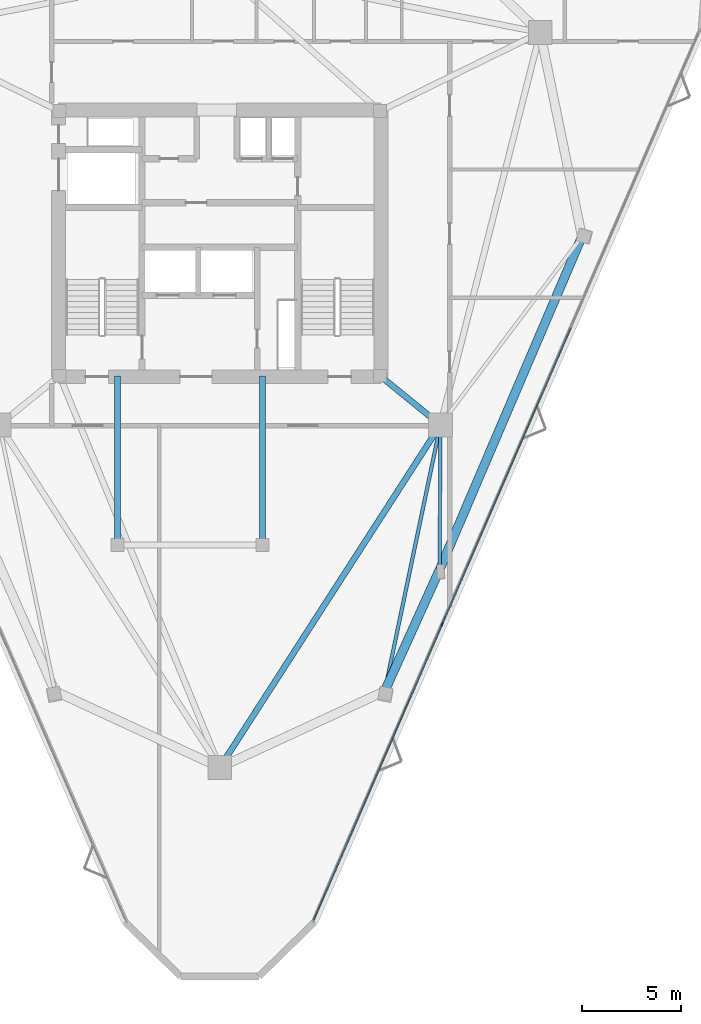
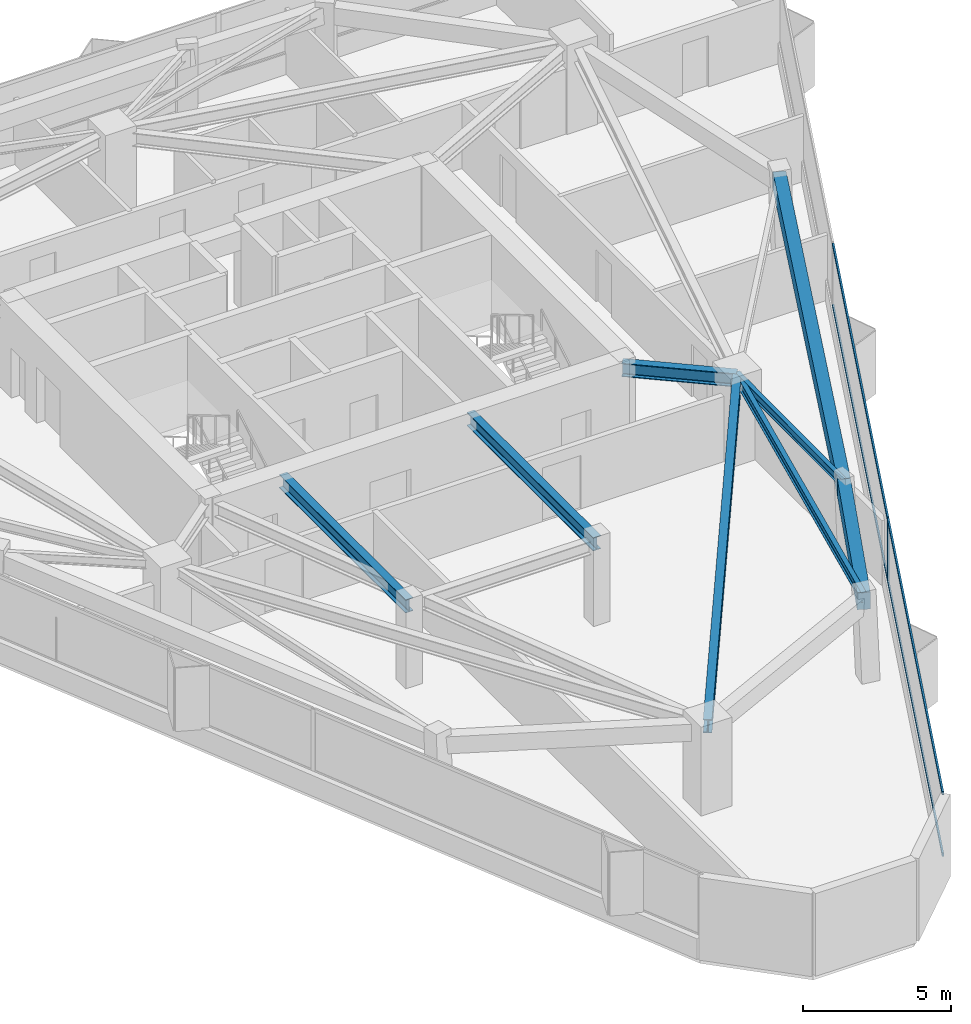
# One storey, part 3 of 10: 8 beams, 5 members, 1 element without a shape of its own.
"""IFC4 building model written with IfcOpenShell, lengths in metres."""

import ifcopenshell
import ifcopenshell.guid

model = None  # the IFC model being written
_history = None  # IfcOwnerHistory: only IFC2X3 demands one
_inside = {}  # id of a spatial element -> (the spatial element, [elements in it])
_under = {}  # id of a project, library or spatial element -> (it, [spatial elements below it])
_declared = {}  # id of a project -> (the project, [libraries it declares])
_typed = {}  # id of a type object -> (the type object, [elements of that type])
_made_of = {}  # id of a material, layer set ... -> (it, [elements and type objects made of it])


def new_model(schema):
    """Start an empty IFC model of exactly this schema.

    Asked for "IFC4X3", IfcOpenShell would pick the latest addendum, in which some entities
    have other attributes; the version numbers below select the first issue.
    IFC2X3 requires an IfcOwnerHistory on every rooted entity: one is made here for all.
    """
    global model, _history
    if schema == "IFC4X3":
        model = ifcopenshell.file(schema_version=(4, 3, 0, 0))
    else:
        model = ifcopenshell.file(schema=schema)
    _inside.clear()
    _under.clear()
    _declared.clear()
    _typed.clear()
    _made_of.clear()
    _history = None
    if model.schema == "IFC2X3":
        org = make("IfcOrganization", Name="unknown")
        user = make(
            "IfcPersonAndOrganization",
            ThePerson=make("IfcPerson", FamilyName="unknown"),
            TheOrganization=org,
        )
        app = make(
            "IfcApplication",
            ApplicationDeveloper=org,
            Version="unknown",
            ApplicationFullName="unknown",
            ApplicationIdentifier="unknown",
        )
        _history = make(
            "IfcOwnerHistory",
            OwningUser=user,
            OwningApplication=app,
            ChangeAction="ADDED",
            CreationDate=0,
        )
    return model


def make(cls, **values):
    """One entity of the class cls with the attributes given. An attribute that is None is left unset."""
    return model.create_entity(
        cls, **{name: value for name, value in values.items() if value is not None}
    )


def rooted(cls, **values):
    """An entity with a GlobalId (a new one), such as an element, a storey or a relation."""
    return make(cls, GlobalId=ifcopenshell.guid.new(), OwnerHistory=_history, **values)


def si_unit(unit_type, name, prefix=None):
    """IfcSIUnit, for example si_unit("LENGTHUNIT", "METRE", prefix="MILLI")."""
    return make("IfcSIUnit", UnitType=unit_type, Prefix=prefix, Name=name)


def assignment(units):
    """IfcUnitAssignment: the units of a project."""
    return None if units is None else make("IfcUnitAssignment", Units=units)


def point(xyz):
    """IfcCartesianPoint."""
    return None if xyz is None else make("IfcCartesianPoint", Coordinates=xyz)


def direction(xyz):
    """IfcDirection."""
    return None if xyz is None else make("IfcDirection", DirectionRatios=xyz)


def frame(location, z_axis=None, x_axis=None):
    """IfcAxis2Placement3D, a coordinate frame: its origin and axes. An axis left out is left unset."""
    return make(
        "IfcAxis2Placement3D",
        Location=point(location),
        Axis=direction(z_axis),
        RefDirection=direction(x_axis),
    )


def frame_2d(location, x_axis=None):
    """IfcAxis2Placement2D, a coordinate frame in the plane: its origin and x axis."""
    return make(
        "IfcAxis2Placement2D", Location=point(location), RefDirection=direction(x_axis)
    )


def origin():
    """The frame at (0, 0, 0) with its axes left unset."""
    return frame((0.0, 0.0, 0.0))


def origin_2d():
    """The frame at (0, 0) in the plane with its x axis left unset."""
    return frame_2d((0.0, 0.0))


def place(relative_to, where):
    """IfcLocalPlacement: puts the frame where relative to a parent placement (None: the world)."""
    return make(
        "IfcLocalPlacement", PlacementRelTo=relative_to, RelativePlacement=where
    )


def context(
    kind, dimensions, precision=None, world=None, true_north=None, identifier=None
):
    """IfcGeometricRepresentationContext, for example the 3D "Model" context."""
    return make(
        "IfcGeometricRepresentationContext",
        ContextIdentifier=identifier,
        ContextType=kind,
        CoordinateSpaceDimension=dimensions,
        Precision=precision,
        WorldCoordinateSystem=world,
        TrueNorth=true_north,
    )


def subcontext(parent, identifier, kind, view, scale=None):
    """IfcGeometricRepresentationSubContext, for example "Body" below "Model"."""
    return make(
        "IfcGeometricRepresentationSubContext",
        ContextIdentifier=identifier,
        ContextType=kind,
        ParentContext=parent,
        TargetScale=scale,
        TargetView=view,
    )


def project(units=None, contexts=None):
    """IfcProject with its units and contexts."""
    return rooted(
        "IfcProject",
        Name="project",
        RepresentationContexts=contexts,
        UnitsInContext=assignment(units),
    )


def spatial(cls, under=None, at=None, **own):
    """A site, building, storey or space (cls), placed at a placement, below another one or the project."""
    s = rooted(cls, ObjectPlacement=at, **own)
    if under is not None:
        _under.setdefault(under.id(), (under, []))[1].append(s)
    return s


def profile(cls, at=None, kind="AREA", **sizes):
    """A parametric profile (cls). Its sizes go by their IFC names, for example OverallWidth=200.0."""
    return make(cls, ProfileType=kind, Position=at, **sizes)


def rectangle(**sizes):
    """IfcRectangleProfileDef."""
    return profile("IfcRectangleProfileDef", **sizes)


def i_section(**sizes):
    """IfcIShapeProfileDef."""
    return profile("IfcIShapeProfileDef", **sizes)


def extrude(swept, where, along, depth):
    """IfcExtrudedAreaSolid: the profile swept, set in the frame where, extruded along a direction by depth."""
    return make(
        "IfcExtrudedAreaSolid",
        SweptArea=swept,
        Position=where,
        ExtrudedDirection=direction(along),
        Depth=depth,
    )


def shape(context_of_items, identifier, shape_type, items):
    """IfcShapeRepresentation: the items that make up one representation, for example the "Body"."""
    return make(
        "IfcShapeRepresentation",
        ContextOfItems=context_of_items,
        RepresentationIdentifier=identifier,
        RepresentationType=shape_type,
        Items=items,
    )


def material(Name=None, Category=None):
    """IfcMaterial."""
    return make("IfcMaterial", Name=Name, Category=Category)


def layer(
    of_material, thickness, ventilated=None, Name=None, Category=None, Priority=None
):
    """IfcMaterialLayer: one layer of a wall or slab, of a material (None: an air gap)."""
    return make(
        "IfcMaterialLayer",
        Material=of_material,
        LayerThickness=thickness,
        IsVentilated=ventilated,
        Name=Name,
        Category=Category,
        Priority=Priority,
    )


def layer_set(layers, Name=None):
    """IfcMaterialLayerSet."""
    return make("IfcMaterialLayerSet", MaterialLayers=layers, LayerSetName=Name)


def material_profile(
    of_material, cross_section, Name=None, Category=None, Priority=None
):
    """IfcMaterialProfile: a cross section and its material."""
    return make(
        "IfcMaterialProfile",
        Name=Name,
        Material=of_material,
        Profile=cross_section,
        Priority=Priority,
        Category=Category,
    )


def profile_set(profiles, Name=None, composite=None):
    """IfcMaterialProfileSet."""
    return make(
        "IfcMaterialProfileSet",
        Name=Name,
        MaterialProfiles=profiles,
        CompositeProfile=composite,
    )


def made_of(thing, what):
    """Note that an element or type object is made of a material, layer set ...; save() writes the relation."""
    if what is not None:
        _made_of.setdefault(what.id(), (what, []))[1].append(thing)
    return thing


def type_object(cls, material=None, **own):
    """A type object (cls), such as IfcWallType, which elements share."""
    return made_of(rooted(cls, **own), material)


def element(
    cls,
    number,
    at=None,
    inside=None,
    cuts=None,
    type_object=None,
    material=None,
    context=None,
    identifier="Body",
    shape_type=None,
    held_by="IfcProductDefinitionShape",
    body=None,
    shapes=None,
    **own,
):
    """One element of the class cls, such as IfcWall. Its Tag is "e" and its number.

    at: its placement. inside: the storey or other place that contains it. cuts: it is an
    opening in that element (IfcRelVoidsElement). A single representation is given by context,
    identifier, shape_type and body (its items); several are given by shapes. held_by: the class
    of the entity that holds the representations. save() writes the other relations.
    """
    e = rooted(cls, Tag="e%d" % number, ObjectPlacement=at, **own)
    if body is not None:
        shapes = [shape(context, identifier, shape_type, body)]
    if shapes is not None:
        e.Representation = make(held_by, Representations=shapes)
    if inside is not None:
        _inside.setdefault(inside.id(), (inside, []))[1].append(e)
    if cuts is not None:
        rooted(
            "IfcRelVoidsElement", RelatingBuildingElement=cuts, RelatedOpeningElement=e
        )
    if type_object is not None:
        _typed.setdefault(type_object.id(), (type_object, []))[1].append(e)
    return made_of(e, material)


def aggregate(whole, parts):
    """IfcRelAggregates: a whole, such as a stair, and the parts it consists of."""
    return rooted("IfcRelAggregates", RelatingObject=whole, RelatedObjects=parts)


def save(model, path):
    """Write the relations noted so far, then the file.

    IfcRelAggregates (storeys below a building ...), IfcRelContainedInSpatialStructure (elements
    in a storey), IfcRelDefinesByType, IfcRelAssociatesMaterial and IfcRelDeclares: one each for
    every whole, place, type object, material and project.
    """
    for whole, parts in _under.values():
        aggregate(whole, parts)
    for where, things in _inside.values():
        rooted(
            "IfcRelContainedInSpatialStructure",
            RelatedElements=things,
            RelatingStructure=where,
        )
    for kind, things in _typed.values():
        rooted("IfcRelDefinesByType", RelatedObjects=things, RelatingType=kind)
    for what, things in _made_of.values():
        rooted("IfcRelAssociatesMaterial", RelatedObjects=things, RelatingMaterial=what)
    for by, libraries in _declared.values():
        rooted("IfcRelDeclares", RelatingContext=by, RelatedDefinitions=libraries)
    model.write(path)


model = new_model("IFC4")

# Units and contexts
model_context = context("Model", 3, precision=1e-05, world=origin(), true_north=direction((0.0, 1.0)))
body_context = subcontext(model_context, "Body", "Model", "MODEL_VIEW")
ifc_project = project(units=[si_unit("LENGTHUNIT", "METRE"), si_unit("AREAUNIT", "SQUARE_METRE"), si_unit("VOLUMEUNIT", "CUBIC_METRE"), si_unit("PLANEANGLEUNIT", "RADIAN"), si_unit("MASSUNIT", "GRAM", prefix="KILO")], contexts=[model_context])

# Site, building, storey
site_placement = place(None, origin())
site = spatial("IfcSite", under=ifc_project, at=site_placement, CompositionType="ELEMENT")
building_placement = place(site_placement, origin())
building = spatial("IfcBuilding", under=site, at=building_placement, Name="Talyreon Biosciences Tower", CompositionType="ELEMENT")
storey_placement = place(building_placement, frame((0.0, 0.0, 231.60009765625)))
storey = spatial("IfcBuildingStorey", under=building, at=storey_placement, Name="L61", CompositionType="ELEMENT", Elevation=231.60009765625)

# Curtain wall, members
ifc_material_1 = material(Name="Thermally broken aluminium and low-E glazing", Category="aluminium")
ifc_layer = layer(ifc_material_1, 0.175048828125)
ifc_layer_set = layer_set([ifc_layer], Name="Thermally broken aluminium and low-E glazing")
curtain_wall_type = type_object("IfcCurtainWallType", Name="CurtainWall_Zone5CompLab", PredefinedType="NOTDEFINED", material=ifc_layer_set)
curtain_wall_placement = place(storey_placement, origin())
curtain_wall = element("IfcCurtainWall", 1, at=curtain_wall_placement, inside=storey, type_object=curtain_wall_type, Name="L61 Unitised Curtain Wall FCW-L61-08", PredefinedType="NOTDEFINED")
ifc_material_2 = material(Name="Anodised thermally broken aluminium", Category="aluminium")
ifc_material_profile_1 = material_profile(ifc_material_2, rectangle(XDim=0.06494140625, YDim=0.179931640625, at=origin_2d()), Name="ALUM MULLION 65x180")
ifc_profile_set_1 = profile_set([ifc_material_profile_1], Name="Anodised thermally broken aluminium")
member_type_1 = type_object("IfcMemberType", Name="CWMullion_65x180", PredefinedType="MULLION", material=ifc_profile_set_1)
member_1_placement = place(storey_placement, frame((77.175048828125, 48.85888671875, 0.809814453125), z_axis=(0.0, 0.0, 1.0), x_axis=(0.917336640876, -0.398112405366, 0.0)))
member_1 = element("IfcMember", 2, at=member_1_placement, type_object=member_type_1, Name="CW6 mullion 3", PredefinedType="MULLION", context=body_context, shape_type="SweptSolid", body=[
    extrude(rectangle(XDim=0.06494140625, YDim=0.179931640625, at=origin_2d()), origin(), (0.0, 0.0, 1.0), 2.590087890625),
])
ifc_material_profile_2 = material_profile(ifc_material_2, rectangle(XDim=0.06494140625, YDim=0.139892578125, at=origin_2d()), Name="ALUM TRANSOM 65x140")
ifc_profile_set_2 = profile_set([ifc_material_profile_2], Name="Anodised thermally broken aluminium")
member_type_2 = type_object("IfcMemberType", Name="CWTransom_65x140", PredefinedType="USERDEFINED", material=ifc_profile_set_2)
member_2_placement = place(storey_placement, frame((83.640380859375, 63.756103515625, 0.84228515625), z_axis=(-0.398118470733, -0.91733400856, 0.0), x_axis=(0.91733400856, -0.398118470733, 0.0)))
member_2 = element("IfcMember", 3, at=member_2_placement, type_object=member_type_2, Name="CW6 transom 2.1", ObjectType="TRANSOM", PredefinedType="USERDEFINED", context=body_context, shape_type="SweptSolid", body=[
    extrude(rectangle(XDim=0.06494140625, YDim=0.139892578125, at=origin_2d()), origin(), (0.0, 0.0, 1.0), 16.207275390625),
])
member_3_placement = place(storey_placement, frame((83.640380859375, 63.756103515625, 3.367431640625), z_axis=(-0.398118470733, -0.91733400856, 0.0), x_axis=(0.91733400856, -0.398118470733, 0.0)))
member_3 = element("IfcMember", 4, at=member_3_placement, type_object=member_type_2, Name="CW6 transom 2.2", ObjectType="TRANSOM", PredefinedType="USERDEFINED", context=body_context, shape_type="SweptSolid", body=[
    extrude(rectangle(XDim=0.06494140625, YDim=0.139892578125, at=origin_2d()), origin(), (0.0, 0.0, 1.0), 16.207275390625),
])
member_4_placement = place(storey_placement, frame((77.162109375, 48.828857421875, 0.84228515625), z_axis=(-0.398117802668, -0.917334298497, 0.0), x_axis=(0.917334298497, -0.398117802668, 0.0)))
member_4 = element("IfcMember", 5, at=member_4_placement, type_object=member_type_2, Name="CW6 transom 3.1", ObjectType="TRANSOM", PredefinedType="USERDEFINED", context=body_context, shape_type="SweptSolid", body=[
    extrude(rectangle(XDim=0.06494140625, YDim=0.139892578125, at=origin_2d()), origin(), (0.0, 0.0, 1.0), 16.1748046875),
])
member_5_placement = place(storey_placement, frame((77.162109375, 48.828857421875, 3.367431640625), z_axis=(-0.398117802668, -0.917334298497, 0.0), x_axis=(0.917334298497, -0.398117802668, 0.0)))
member_5 = element("IfcMember", 6, at=member_5_placement, type_object=member_type_2, Name="CW6 transom 3.2", ObjectType="TRANSOM", PredefinedType="USERDEFINED", context=body_context, shape_type="SweptSolid", body=[
    extrude(rectangle(XDim=0.06494140625, YDim=0.139892578125, at=origin_2d()), origin(), (0.0, 0.0, 1.0), 16.1748046875),
])
aggregate(curtain_wall, [member_1, member_2, member_3, member_4, member_5])

# Beams
ifc_material_3 = material(Name="Precast concrete C45/55", Category="concrete")
ifc_material_profile_3 = material_profile(ifc_material_3, rectangle(XDim=0.449951171875, YDim=0.699951171875, at=origin_2d()), Name="RCB 450x700")
ifc_profile_set_3 = profile_set([ifc_material_profile_3], Name="Precast concrete C45/55")
beam_type_1 = type_object("IfcBeamType", Name="ExpressedSpandrel_450x700", PredefinedType="SPANDREL", material=ifc_profile_set_3)
beam_1_placement = place(storey_placement, frame((74.289306640625, 45.503173828125, 3.0498046875), z_axis=(0.4115935509, 0.911367515801, 0.0), x_axis=(-0.911367515801, 0.4115935509, 0.0)))
element("IfcBeam", 7, at=beam_1_placement, inside=storey, type_object=beam_type_1, Name="L61 Expressed Horizontal Concrete Spandrel 02", PredefinedType="SPANDREL", context=body_context, shape_type="SweptSolid", body=[
    extrude(rectangle(XDim=0.449951171875, YDim=0.699951171875, at=origin_2d()), origin(), (0.0, 0.0, 1.0), 6.70556640625),
])
beam_2_placement = place(storey_placement, frame((77.04931640625, 51.614501953125, 3.0498046875), z_axis=(0.392876398929, 0.919591287021, 0.0), x_axis=(-0.919591287021, 0.392876398929, 0.0)))
element("IfcBeam", 8, at=beam_2_placement, inside=storey, type_object=beam_type_1, Name="L61 Expressed Horizontal Concrete Spandrel 03", PredefinedType="SPANDREL", context=body_context, shape_type="SweptSolid", body=[
    extrude(rectangle(XDim=0.449951171875, YDim=0.699951171875, at=origin_2d()), origin(), (0.0, 0.0, 1.0), 18.199462890625),
])
ifc_material_4 = material(Name="Steel SM355", Category="steel")
ifc_material_profile_4 = material_profile(ifc_material_4, i_section(OverallWidth=0.300048828125, OverallDepth=0.550048828125, WebThickness=0.014892578125, FlangeThickness=0.029052734375, FilletRadius=0.027099609375, at=origin_2d()), Name="HE550B")
ifc_profile_set_4 = profile_set([ifc_material_profile_4], Name="Steel SM355")
beam_type_2 = type_object("IfcBeamType", Name="SteelBeam_HE550B", PredefinedType="BEAM", material=ifc_profile_set_4)
beam_3_placement = place(storey_placement, frame((66.0, 41.6669921875, 3.125), z_axis=(0.541463723609, 0.840724114092, 0.0), x_axis=(-0.840724114092, 0.541463723609, 0.0)))
element("IfcBeam", 9, at=beam_3_placement, inside=storey, type_object=beam_type_2, Name="L61 Mega-Ring Girder 1", PredefinedType="BEAM", context=body_context, shape_type="SweptSolid", body=[
    extrude(i_section(OverallWidth=0.300048828125, OverallDepth=0.550048828125, WebThickness=0.014892578125, FlangeThickness=0.029052734375, FilletRadius=0.027099609375, at=origin_2d()), origin(), (0.0, 0.0, 1.0), 20.474365234375),
])
beam_4_placement = place(storey_placement, frame((74.050048828125, 61.35009765625, 3.125), z_axis=(0.775755154013, -0.631034025249, 0.0), x_axis=(0.631034025249, 0.775755154013, 0.0)))
element("IfcBeam", 10, at=beam_4_placement, inside=storey, type_object=beam_type_2, Name="L61 Radial Primary Girder 2", PredefinedType="BEAM", context=body_context, shape_type="SweptSolid", body=[
    extrude(i_section(OverallWidth=0.300048828125, OverallDepth=0.550048828125, WebThickness=0.014892578125, FlangeThickness=0.029052734375, FilletRadius=0.027099609375, at=origin_2d()), origin(), (0.0, 0.0, 1.0), 3.913818359375),
])
for number, where, z_axis, x_axis, name in (
    (11, (60.85009765625, 52.840087890625, 3.125), (0.0, 1.0, 0.0), (-1.0, 0.0, 0.0), "L61 Crown Shaft Tie Girder W"),
    (12, (68.14990234375, 52.840087890625, 3.125), (0.0, 1.0, 0.0), (-1.0, 0.0, 0.0), "L61 Crown Shaft Tie Girder E"),
):
    element("IfcBeam", number, at=place(storey_placement, frame(where, z_axis=z_axis, x_axis=x_axis)), inside=storey, type_object=beam_type_2, Name=name, PredefinedType="BEAM", context=body_context, shape_type="SweptSolid", body=[
        extrude(i_section(OverallWidth=0.300048828125, OverallDepth=0.550048828125, WebThickness=0.014892578125, FlangeThickness=0.029052734375, FilletRadius=0.027099609375, at=origin_2d()), origin(), (0.0, 0.0, 1.0), 8.510009765625),
    ])
ifc_material_profile_5 = material_profile(ifc_material_4, i_section(OverallWidth=0.169921875, OverallDepth=0.360107421875, WebThickness=0.008056640625, FlangeThickness=0.0126953125, FilletRadius=0.01806640625, at=origin_2d()), Name="IPE360")
ifc_profile_set_5 = profile_set([ifc_material_profile_5], Name="Steel SM355")
beam_type_3 = type_object("IfcBeamType", Name="SteelJoist_IPE360", PredefinedType="JOIST", material=ifc_profile_set_5)
beam_5_placement = place(storey_placement, frame((77.086181640625, 58.88037109375, 3.219970703125), z_axis=(-0.005073688937, -0.999987128757, 0.0), x_axis=(0.999987128757, -0.005073688937, 0.0)))
element("IfcBeam", 13, at=beam_5_placement, inside=storey, type_object=beam_type_3, Name="L61 Radial Composite Floor Joist PL-SE", PredefinedType="JOIST", context=body_context, shape_type="SweptSolid", body=[
    extrude(i_section(OverallWidth=0.169921875, OverallDepth=0.360107421875, WebThickness=0.008056640625, FlangeThickness=0.0126953125, FilletRadius=0.01806640625, at=origin_2d()), origin(), (0.0, 0.0, 1.0), 7.265869140625),
])
ifc_material_profile_6 = material_profile(ifc_material_4, i_section(OverallWidth=0.179931640625, OverallDepth=0.39990234375, WebThickness=0.008544921875, FlangeThickness=0.013427734375, FilletRadius=0.02099609375, at=origin_2d()), Name="IPE400")
ifc_profile_set_6 = profile_set([ifc_material_profile_6], Name="Steel SM355")
beam_type_4 = type_object("IfcBeamType", Name="SteelJoist_IPE400", PredefinedType="JOIST", material=ifc_profile_set_6)
beam_6_placement = place(storey_placement, frame((77.086181640625, 58.88037109375, 3.199951171875), z_axis=(-0.204652601401, -0.97883467079, 0.0), x_axis=(0.97883467079, -0.204652601401, 0.0)))
element("IfcBeam", 14, at=beam_6_placement, inside=storey, type_object=beam_type_4, Name="L61 Radial Composite Floor Joist PC-SE1", PredefinedType="JOIST", context=body_context, shape_type="SweptSolid", body=[
    extrude(i_section(OverallWidth=0.179931640625, OverallDepth=0.39990234375, WebThickness=0.008544921875, FlangeThickness=0.013427734375, FilletRadius=0.02099609375, at=origin_2d()), origin(), (0.0, 0.0, 1.0), 13.66650390625),
])

save(model, "model.ifc")
